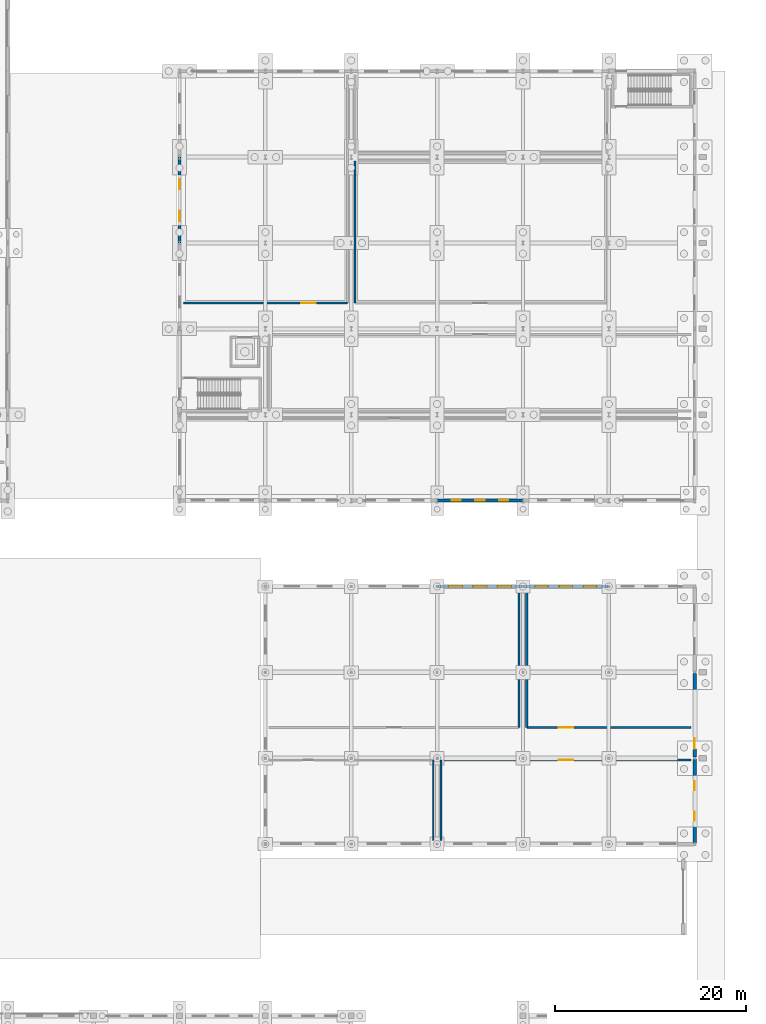
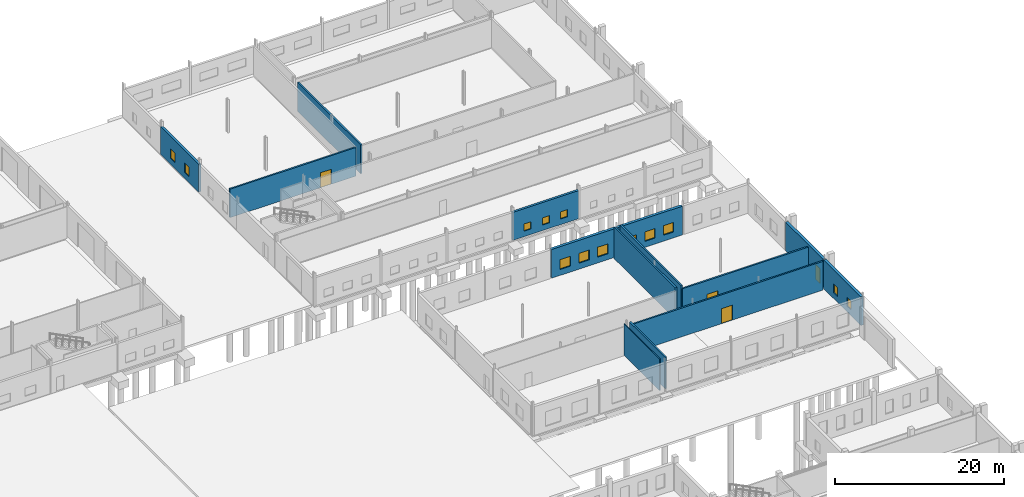
# One storey, part 81 of 112: 14 walls, 13 windows, 4 doors, 17 openings.
"""IFC4 building model written with IfcOpenShell, lengths in metres."""

import ifcopenshell
import ifcopenshell.guid

model = None  # the IFC model being written
_history = None  # IfcOwnerHistory: only IFC2X3 demands one
_inside = {}  # id of a spatial element -> (the spatial element, [elements in it])
_under = {}  # id of a project, library or spatial element -> (it, [spatial elements below it])
_declared = {}  # id of a project -> (the project, [libraries it declares])
_typed = {}  # id of a type object -> (the type object, [elements of that type])
_made_of = {}  # id of a material, layer set ... -> (it, [elements and type objects made of it])


def new_model(schema):
    """Start an empty IFC model of exactly this schema.

    Asked for "IFC4X3", IfcOpenShell would pick the latest addendum, in which some entities
    have other attributes; the version numbers below select the first issue.
    IFC2X3 requires an IfcOwnerHistory on every rooted entity: one is made here for all.
    """
    global model, _history
    if schema == "IFC4X3":
        model = ifcopenshell.file(schema_version=(4, 3, 0, 0))
    else:
        model = ifcopenshell.file(schema=schema)
    _inside.clear()
    _under.clear()
    _declared.clear()
    _typed.clear()
    _made_of.clear()
    _history = None
    if model.schema == "IFC2X3":
        org = make("IfcOrganization", Name="unknown")
        user = make(
            "IfcPersonAndOrganization",
            ThePerson=make("IfcPerson", FamilyName="unknown"),
            TheOrganization=org,
        )
        app = make(
            "IfcApplication",
            ApplicationDeveloper=org,
            Version="unknown",
            ApplicationFullName="unknown",
            ApplicationIdentifier="unknown",
        )
        _history = make(
            "IfcOwnerHistory",
            OwningUser=user,
            OwningApplication=app,
            ChangeAction="ADDED",
            CreationDate=0,
        )
    return model


def make(cls, **values):
    """One entity of the class cls with the attributes given. An attribute that is None is left unset."""
    return model.create_entity(
        cls, **{name: value for name, value in values.items() if value is not None}
    )


def rooted(cls, **values):
    """An entity with a GlobalId (a new one), such as an element, a storey or a relation."""
    return make(cls, GlobalId=ifcopenshell.guid.new(), OwnerHistory=_history, **values)


def si_unit(unit_type, name, prefix=None):
    """IfcSIUnit, for example si_unit("LENGTHUNIT", "METRE", prefix="MILLI")."""
    return make("IfcSIUnit", UnitType=unit_type, Prefix=prefix, Name=name)


def assignment(units):
    """IfcUnitAssignment: the units of a project."""
    return None if units is None else make("IfcUnitAssignment", Units=units)


def point(xyz):
    """IfcCartesianPoint."""
    return None if xyz is None else make("IfcCartesianPoint", Coordinates=xyz)


def direction(xyz):
    """IfcDirection."""
    return None if xyz is None else make("IfcDirection", DirectionRatios=xyz)


def frame(location, z_axis=None, x_axis=None):
    """IfcAxis2Placement3D, a coordinate frame: its origin and axes. An axis left out is left unset."""
    return make(
        "IfcAxis2Placement3D",
        Location=point(location),
        Axis=direction(z_axis),
        RefDirection=direction(x_axis),
    )


def frame_2d(location, x_axis=None):
    """IfcAxis2Placement2D, a coordinate frame in the plane: its origin and x axis."""
    return make(
        "IfcAxis2Placement2D", Location=point(location), RefDirection=direction(x_axis)
    )


def origin():
    """The frame at (0, 0, 0) with its axes left unset."""
    return frame((0.0, 0.0, 0.0))


def place(relative_to, where):
    """IfcLocalPlacement: puts the frame where relative to a parent placement (None: the world)."""
    return make(
        "IfcLocalPlacement", PlacementRelTo=relative_to, RelativePlacement=where
    )


def context(
    kind, dimensions, precision=None, world=None, true_north=None, identifier=None
):
    """IfcGeometricRepresentationContext, for example the 3D "Model" context."""
    return make(
        "IfcGeometricRepresentationContext",
        ContextIdentifier=identifier,
        ContextType=kind,
        CoordinateSpaceDimension=dimensions,
        Precision=precision,
        WorldCoordinateSystem=world,
        TrueNorth=true_north,
    )


def subcontext(parent, identifier, kind, view, scale=None):
    """IfcGeometricRepresentationSubContext, for example "Body" below "Model"."""
    return make(
        "IfcGeometricRepresentationSubContext",
        ContextIdentifier=identifier,
        ContextType=kind,
        ParentContext=parent,
        TargetScale=scale,
        TargetView=view,
    )


def project(units=None, contexts=None):
    """IfcProject with its units and contexts."""
    return rooted(
        "IfcProject",
        Name="project",
        RepresentationContexts=contexts,
        UnitsInContext=assignment(units),
    )


def spatial(cls, under=None, at=None, **own):
    """A site, building, storey or space (cls), placed at a placement, below another one or the project."""
    s = rooted(cls, ObjectPlacement=at, **own)
    if under is not None:
        _under.setdefault(under.id(), (under, []))[1].append(s)
    return s


def profile(cls, at=None, kind="AREA", **sizes):
    """A parametric profile (cls). Its sizes go by their IFC names, for example OverallWidth=200.0."""
    return make(cls, ProfileType=kind, Position=at, **sizes)


def rectangle(**sizes):
    """IfcRectangleProfileDef."""
    return profile("IfcRectangleProfileDef", **sizes)


def extrude(swept, where, along, depth):
    """IfcExtrudedAreaSolid: the profile swept, set in the frame where, extruded along a direction by depth."""
    return make(
        "IfcExtrudedAreaSolid",
        SweptArea=swept,
        Position=where,
        ExtrudedDirection=direction(along),
        Depth=depth,
    )


def shape(context_of_items, identifier, shape_type, items):
    """IfcShapeRepresentation: the items that make up one representation, for example the "Body"."""
    return make(
        "IfcShapeRepresentation",
        ContextOfItems=context_of_items,
        RepresentationIdentifier=identifier,
        RepresentationType=shape_type,
        Items=items,
    )


def material(Name=None, Category=None):
    """IfcMaterial."""
    return make("IfcMaterial", Name=Name, Category=Category)


def layer(
    of_material, thickness, ventilated=None, Name=None, Category=None, Priority=None
):
    """IfcMaterialLayer: one layer of a wall or slab, of a material (None: an air gap)."""
    return make(
        "IfcMaterialLayer",
        Material=of_material,
        LayerThickness=thickness,
        IsVentilated=ventilated,
        Name=Name,
        Category=Category,
        Priority=Priority,
    )


def layer_set(layers, Name=None):
    """IfcMaterialLayerSet."""
    return make("IfcMaterialLayerSet", MaterialLayers=layers, LayerSetName=Name)


def made_of(thing, what):
    """Note that an element or type object is made of a material, layer set ...; save() writes the relation."""
    if what is not None:
        _made_of.setdefault(what.id(), (what, []))[1].append(thing)
    return thing


def type_object(cls, material=None, **own):
    """A type object (cls), such as IfcWallType, which elements share."""
    return made_of(rooted(cls, **own), material)


def element(
    cls,
    number,
    at=None,
    inside=None,
    cuts=None,
    type_object=None,
    material=None,
    context=None,
    identifier="Body",
    shape_type=None,
    held_by="IfcProductDefinitionShape",
    body=None,
    shapes=None,
    **own,
):
    """One element of the class cls, such as IfcWall. Its Tag is "e" and its number.

    at: its placement. inside: the storey or other place that contains it. cuts: it is an
    opening in that element (IfcRelVoidsElement). A single representation is given by context,
    identifier, shape_type and body (its items); several are given by shapes. held_by: the class
    of the entity that holds the representations. save() writes the other relations.
    """
    e = rooted(cls, Tag="e%d" % number, ObjectPlacement=at, **own)
    if body is not None:
        shapes = [shape(context, identifier, shape_type, body)]
    if shapes is not None:
        e.Representation = make(held_by, Representations=shapes)
    if inside is not None:
        _inside.setdefault(inside.id(), (inside, []))[1].append(e)
    if cuts is not None:
        rooted(
            "IfcRelVoidsElement", RelatingBuildingElement=cuts, RelatedOpeningElement=e
        )
    if type_object is not None:
        _typed.setdefault(type_object.id(), (type_object, []))[1].append(e)
    return made_of(e, material)


def fill(opening, filler):
    """IfcRelFillsElement: the door or window that sits in an opening."""
    return rooted(
        "IfcRelFillsElement",
        RelatingOpeningElement=opening,
        RelatedBuildingElement=filler,
    )


def aggregate(whole, parts):
    """IfcRelAggregates: a whole, such as a stair, and the parts it consists of."""
    return rooted("IfcRelAggregates", RelatingObject=whole, RelatedObjects=parts)


def save(model, path):
    """Write the relations noted so far, then the file.

    IfcRelAggregates (storeys below a building ...), IfcRelContainedInSpatialStructure (elements
    in a storey), IfcRelDefinesByType, IfcRelAssociatesMaterial and IfcRelDeclares: one each for
    every whole, place, type object, material and project.
    """
    for whole, parts in _under.values():
        aggregate(whole, parts)
    for where, things in _inside.values():
        rooted(
            "IfcRelContainedInSpatialStructure",
            RelatedElements=things,
            RelatingStructure=where,
        )
    for kind, things in _typed.values():
        rooted("IfcRelDefinesByType", RelatedObjects=things, RelatingType=kind)
    for what, things in _made_of.values():
        rooted("IfcRelAssociatesMaterial", RelatedObjects=things, RelatingMaterial=what)
    for by, libraries in _declared.values():
        rooted("IfcRelDeclares", RelatingContext=by, RelatedDefinitions=libraries)
    model.write(path)


model = new_model("IFC4")

# Units and contexts
model_context = context("Model", 3, precision=1e-05, world=origin(), true_north=direction((0.0, 1.0)))
body_context = subcontext(model_context, "Body", "Model", "MODEL_VIEW")
ifc_project = project(units=[si_unit("LENGTHUNIT", "METRE"), si_unit("AREAUNIT", "SQUARE_METRE"), si_unit("VOLUMEUNIT", "CUBIC_METRE"), si_unit("PLANEANGLEUNIT", "RADIAN"), si_unit("MASSUNIT", "GRAM", prefix="KILO")], contexts=[model_context])

# Site, building, storey
site_placement = place(None, origin())
site = spatial("IfcSite", under=ifc_project, at=site_placement, CompositionType="ELEMENT")
building_placement = place(site_placement, origin())
building = spatial("IfcBuilding", under=site, at=building_placement, Name="Tharagai Park Tramway Depot", CompositionType="ELEMENT")
storey_placement = place(building_placement, origin())
storey = spatial("IfcBuildingStorey", under=building, at=storey_placement, Name="L00", CompositionType="ELEMENT", Elevation=0.0)

# Wall, openings, windows
ifc_material_1 = material(Name="Concrete M35", Category="concrete")
ifc_layer_1 = layer(ifc_material_1, 0.360107421875)
ifc_layer_set_1 = layer_set([ifc_layer_1], Name="Concrete M35")
wall_type_1 = type_object("IfcWallType", Name="EW-03", PredefinedType="SOLIDWALL", material=ifc_layer_set_1)
wall_1_placement = place(storey_placement, frame((189.095947265625, 81.0, 0.0), z_axis=(0.0, 0.0, 1.0), x_axis=(1.0, 0.0, 0.0)))
wall_1 = element("IfcWall", 1, at=wall_1_placement, inside=storey, type_object=wall_type_1, Name="L00 V6 Exterior Masonry Wall EW-03", PredefinedType="SOLIDWALL", context=body_context, shape_type="SweptSolid", body=[
    extrude(rectangle(XDim=8.80810546875, YDim=0.360107421875, at=frame_2d((4.404052734375, 0.0))), origin(), (0.0, 0.0, 1.0), 4.14208984375),
])
opening_1_placement = place(wall_1_placement, frame((1.1220703125, 0.0, 0.85009765625)))
opening_1 = element("IfcOpeningElement", 2, at=opening_1_placement, cuts=wall_1, Name="Opening WN-25", PredefinedType="OPENING", context=body_context, shape_type="SweptSolid", body=[
    extrude(rectangle(XDim=1.43994140625, YDim=1.419921875, at=frame_2d((0.719970703125, 0.7099609375))), frame((0.0, 0.18994140625, 0.0), z_axis=(0.0, -1.0, 0.0), x_axis=(1.0, 0.0, 0.0)), (0.0, 0.0, 1.0), 0.380126953125),
])
opening_2_placement = place(wall_1_placement, frame((3.68408203125, 0.0, 0.85009765625)))
opening_2 = element("IfcOpeningElement", 3, at=opening_2_placement, cuts=wall_1, Name="Opening WN-25", PredefinedType="OPENING", context=body_context, shape_type="SweptSolid", body=[
    extrude(rectangle(XDim=1.43994140625, YDim=1.419921875, at=frame_2d((0.719970703125, 0.7099609375))), frame((0.0, 0.18994140625, 0.0), z_axis=(0.0, -1.0, 0.0), x_axis=(1.0, 0.0, 0.0)), (0.0, 0.0, 1.0), 0.380126953125),
])
opening_3_placement = place(wall_1_placement, frame((6.24609375, 0.0, 0.85009765625)))
opening_3 = element("IfcOpeningElement", 4, at=opening_3_placement, cuts=wall_1, Name="Opening WN-25", PredefinedType="OPENING", context=body_context, shape_type="SweptSolid", body=[
    extrude(rectangle(XDim=1.43994140625, YDim=1.419921875, at=frame_2d((0.719970703125, 0.7099609375))), frame((0.0, 0.18994140625, 0.0), z_axis=(0.0, -1.0, 0.0), x_axis=(1.0, 0.0, 0.0)), (0.0, 0.0, 1.0), 0.380126953125),
])
ifc_material_2 = material(Name="Laminated solar-control glass", Category="glass")
window_type_1 = type_object("IfcWindowType", Name="WN-25", PartitioningType="SINGLE_PANEL", PredefinedType="WINDOW", material=ifc_material_2)
window_1_placement = place(opening_1_placement, origin())
window_1 = element("IfcWindow", 5, at=window_1_placement, inside=storey, type_object=window_type_1, Name="L00 V6 Gothic Lancet Window WN-25", OverallHeight=1.419921875, OverallWidth=1.43994140625, PartitioningType="SINGLE_PANEL", PredefinedType="WINDOW", context=body_context, shape_type="SweptSolid", body=[
    extrude(rectangle(XDim=1.43994140625, YDim=1.419921875, at=frame_2d((0.719970703125, 0.7099609375))), frame((0.0, 0.030029296875, 0.0), z_axis=(0.0, -1.0, 0.0), x_axis=(1.0, 0.0, 0.0)), (0.0, 0.0, 1.0), 0.06005859375),
])
fill(opening_1, window_1)
window_2_placement = place(opening_2_placement, origin())
window_2 = element("IfcWindow", 6, at=window_2_placement, inside=storey, type_object=window_type_1, Name="L00 V6 Gothic Lancet Window WN-25", OverallHeight=1.419921875, OverallWidth=1.43994140625, PartitioningType="SINGLE_PANEL", PredefinedType="WINDOW", context=body_context, shape_type="SweptSolid", body=[
    extrude(rectangle(XDim=1.43994140625, YDim=1.419921875, at=frame_2d((0.719970703125, 0.7099609375))), frame((0.0, 0.030029296875, 0.0), z_axis=(0.0, -1.0, 0.0), x_axis=(1.0, 0.0, 0.0)), (0.0, 0.0, 1.0), 0.06005859375),
])
fill(opening_2, window_2)
window_3_placement = place(opening_3_placement, origin())
window_3 = element("IfcWindow", 7, at=window_3_placement, inside=storey, type_object=window_type_1, Name="L00 V6 Gothic Lancet Window WN-25", OverallHeight=1.419921875, OverallWidth=1.43994140625, PartitioningType="SINGLE_PANEL", PredefinedType="WINDOW", context=body_context, shape_type="SweptSolid", body=[
    extrude(rectangle(XDim=1.43994140625, YDim=1.419921875, at=frame_2d((0.719970703125, 0.7099609375))), frame((0.0, 0.030029296875, 0.0), z_axis=(0.0, -1.0, 0.0), x_axis=(1.0, 0.0, 0.0)), (0.0, 0.0, 1.0), 0.06005859375),
])
fill(opening_3, window_3)

wall_2_placement = place(storey_placement, frame((198.095947265625, 81.0, 0.0), z_axis=(0.0, 0.0, 1.0), x_axis=(1.0, 0.0, 0.0)))
wall_2 = element("IfcWall", 8, at=wall_2_placement, inside=storey, type_object=wall_type_1, Name="L00 V6 Exterior Masonry Wall EW-03", PredefinedType="SOLIDWALL", context=body_context, shape_type="SweptSolid", body=[
    extrude(rectangle(XDim=8.80810546875, YDim=0.360107421875, at=frame_2d((4.404052734375, 0.0))), origin(), (0.0, 0.0, 1.0), 4.14208984375),
])
opening_4_placement = place(wall_2_placement, frame((1.181884765625, 0.0, 0.85009765625)))
opening_4 = element("IfcOpeningElement", 9, at=opening_4_placement, cuts=wall_2, Name="Opening WN-41", PredefinedType="OPENING", context=body_context, shape_type="SweptSolid", body=[
    extrude(rectangle(XDim=1.360107421875, YDim=1.3798828125, at=frame_2d((0.68017578125, 0.68994140625))), frame((0.0, 0.18994140625, 0.0), z_axis=(0.0, -1.0, 0.0), x_axis=(1.0, 0.0, 0.0)), (0.0, 0.0, 1.0), 0.380126953125),
])
opening_5_placement = place(wall_2_placement, frame((3.72412109375, 0.0, 0.85009765625)))
opening_5 = element("IfcOpeningElement", 10, at=opening_5_placement, cuts=wall_2, Name="Opening WN-41", PredefinedType="OPENING", context=body_context, shape_type="SweptSolid", body=[
    extrude(rectangle(XDim=1.360107421875, YDim=1.3798828125, at=frame_2d((0.68017578125, 0.68994140625))), frame((0.0, 0.18994140625, 0.0), z_axis=(0.0, -1.0, 0.0), x_axis=(1.0, 0.0, 0.0)), (0.0, 0.0, 1.0), 0.380126953125),
])
opening_6_placement = place(wall_2_placement, frame((6.26611328125, 0.0, 0.85009765625)))
opening_6 = element("IfcOpeningElement", 11, at=opening_6_placement, cuts=wall_2, Name="Opening WN-41", PredefinedType="OPENING", context=body_context, shape_type="SweptSolid", body=[
    extrude(rectangle(XDim=1.360107421875, YDim=1.3798828125, at=frame_2d((0.68017578125, 0.68994140625))), frame((0.0, 0.18994140625, 0.0), z_axis=(0.0, -1.0, 0.0), x_axis=(1.0, 0.0, 0.0)), (0.0, 0.0, 1.0), 0.380126953125),
])
window_type_2 = type_object("IfcWindowType", Name="WN-41", PartitioningType="SINGLE_PANEL", PredefinedType="WINDOW", material=ifc_material_2)
window_4_placement = place(opening_4_placement, origin())
window_4 = element("IfcWindow", 12, at=window_4_placement, inside=storey, type_object=window_type_2, Name="L00 V6 Gothic Lancet Window WN-41", OverallHeight=1.3798828125, OverallWidth=1.360107421875, PartitioningType="SINGLE_PANEL", PredefinedType="WINDOW", context=body_context, shape_type="SweptSolid", body=[
    extrude(rectangle(XDim=1.360107421875, YDim=1.3798828125, at=frame_2d((0.68017578125, 0.68994140625))), frame((0.0, 0.030029296875, 0.0), z_axis=(0.0, -1.0, 0.0), x_axis=(1.0, 0.0, 0.0)), (0.0, 0.0, 1.0), 0.06005859375),
])
fill(opening_4, window_4)
window_5_placement = place(opening_5_placement, origin())
window_5 = element("IfcWindow", 13, at=window_5_placement, inside=storey, type_object=window_type_2, Name="L00 V6 Gothic Lancet Window WN-41", OverallHeight=1.3798828125, OverallWidth=1.360107421875, PartitioningType="SINGLE_PANEL", PredefinedType="WINDOW", context=body_context, shape_type="SweptSolid", body=[
    extrude(rectangle(XDim=1.360107421875, YDim=1.3798828125, at=frame_2d((0.68017578125, 0.68994140625))), frame((0.0, 0.030029296875, 0.0), z_axis=(0.0, -1.0, 0.0), x_axis=(1.0, 0.0, 0.0)), (0.0, 0.0, 1.0), 0.06005859375),
])
fill(opening_5, window_5)
window_6_placement = place(opening_6_placement, origin())
window_6 = element("IfcWindow", 14, at=window_6_placement, inside=storey, type_object=window_type_2, Name="L00 V6 Gothic Lancet Window WN-41", OverallHeight=1.3798828125, OverallWidth=1.360107421875, PartitioningType="SINGLE_PANEL", PredefinedType="WINDOW", context=body_context, shape_type="SweptSolid", body=[
    extrude(rectangle(XDim=1.360107421875, YDim=1.3798828125, at=frame_2d((0.68017578125, 0.68994140625))), frame((0.0, 0.030029296875, 0.0), z_axis=(0.0, -1.0, 0.0), x_axis=(1.0, 0.0, 0.0)), (0.0, 0.0, 1.0), 0.06005859375),
])
fill(opening_6, window_6)

wall_3_placement = place(storey_placement, frame((216.0, 54.131103515625, 0.0), z_axis=(0.0, 0.0, 1.0), x_axis=(0.0, 1.0, 0.0)))
wall_3 = element("IfcWall", 15, at=wall_3_placement, inside=storey, type_object=wall_type_1, Name="L00 V6 Exterior Masonry Wall EW-03", PredefinedType="SOLIDWALL", context=body_context, shape_type="SweptSolid", body=[
    extrude(rectangle(XDim=8.762939453125, YDim=0.360107421875, at=frame_2d((4.38134765625, 0.0))), origin(), (0.0, 0.0, 1.0), 4.14208984375),
])
opening_7_placement = place(wall_3_placement, frame((2.2939453125, 0.0, 0.85009765625)))
opening_7 = element("IfcOpeningElement", 16, at=opening_7_placement, cuts=wall_3, Name="Opening WN-45", PredefinedType="OPENING", context=body_context, shape_type="SweptSolid", body=[
    extrude(rectangle(XDim=0.93994140625, YDim=1.280029296875, at=frame_2d((0.469970703125, 0.64013671875))), frame((0.0, 0.18994140625, 0.0), z_axis=(0.0, -1.0, 0.0), x_axis=(1.0, 0.0, 0.0)), (0.0, 0.0, 1.0), 0.380126953125),
])
opening_8_placement = place(wall_3_placement, frame((5.529052734375, 0.0, 0.85009765625)))
opening_8 = element("IfcOpeningElement", 17, at=opening_8_placement, cuts=wall_3, Name="Opening WN-45", PredefinedType="OPENING", context=body_context, shape_type="SweptSolid", body=[
    extrude(rectangle(XDim=0.93994140625, YDim=1.280029296875, at=frame_2d((0.469970703125, 0.64013671875))), frame((0.0, 0.18994140625, 0.0), z_axis=(0.0, -1.0, 0.0), x_axis=(1.0, 0.0, 0.0)), (0.0, 0.0, 1.0), 0.380126953125),
])
window_type_3 = type_object("IfcWindowType", Name="WN-45", PartitioningType="SINGLE_PANEL", PredefinedType="WINDOW", material=ifc_material_2)
window_7_placement = place(opening_7_placement, origin())
window_7 = element("IfcWindow", 18, at=window_7_placement, inside=storey, type_object=window_type_3, Name="L00 V6 Side Lancet Window WN-45", OverallHeight=1.280029296875, OverallWidth=0.93994140625, PartitioningType="SINGLE_PANEL", PredefinedType="WINDOW", context=body_context, shape_type="SweptSolid", body=[
    extrude(rectangle(XDim=0.93994140625, YDim=1.280029296875, at=frame_2d((0.469970703125, 0.64013671875))), frame((0.0, 0.030029296875, 0.0), z_axis=(0.0, -1.0, 0.0), x_axis=(1.0, 0.0, 0.0)), (0.0, 0.0, 1.0), 0.06005859375),
])
fill(opening_7, window_7)
window_8_placement = place(opening_8_placement, origin())
window_8 = element("IfcWindow", 19, at=window_8_placement, inside=storey, type_object=window_type_3, Name="L00 V6 Side Lancet Window WN-45", OverallHeight=1.280029296875, OverallWidth=0.93994140625, PartitioningType="SINGLE_PANEL", PredefinedType="WINDOW", context=body_context, shape_type="SweptSolid", body=[
    extrude(rectangle(XDim=0.93994140625, YDim=1.280029296875, at=frame_2d((0.469970703125, 0.64013671875))), frame((0.0, 0.030029296875, 0.0), z_axis=(0.0, -1.0, 0.0), x_axis=(1.0, 0.0, 0.0)), (0.0, 0.0, 1.0), 0.06005859375),
])
fill(opening_8, window_8)

# Wall, opening, door
wall_4_placement = place(storey_placement, frame((216.0, 63.10595703125, 0.0), z_axis=(0.0, 0.0, 1.0), x_axis=(0.0, 1.0, 0.0)))
wall_4 = element("IfcWall", 20, at=wall_4_placement, inside=storey, type_object=wall_type_1, Name="L00 V6 Exterior Masonry Wall EW-03", PredefinedType="SOLIDWALL", context=body_context, shape_type="SweptSolid", body=[
    extrude(rectangle(XDim=8.798095703125, YDim=0.360107421875, at=frame_2d((4.39892578125, 0.0))), origin(), (0.0, 0.0, 1.0), 4.14208984375),
])
opening_9_placement = place(wall_4_placement, frame((0.884033203125, 0.0, 0.0)))
opening_9 = element("IfcOpeningElement", 21, at=opening_9_placement, cuts=wall_4, Name="Opening ED-08", PredefinedType="OPENING", context=body_context, shape_type="SweptSolid", body=[
    extrude(rectangle(XDim=1.1201171875, YDim=2.139892578125, at=frame_2d((0.56005859375, 1.06982421875))), frame((0.0, 0.18994140625, 0.0), z_axis=(0.0, -1.0, 0.0), x_axis=(1.0, 0.0, 0.0)), (0.0, 0.0, 1.0), 0.380126953125),
])
ifc_material_3 = material(Name="Anodised aluminium", Category="aluminium")
door_type_1 = type_object("IfcDoorType", Name="ED-08", OperationType="NOTDEFINED", PredefinedType="DOOR", material=ifc_material_3)
door_1_placement = place(opening_9_placement, frame((1.1201171875, 0.0, 0.0), z_axis=(0.0, 0.0, 1.0), x_axis=(-1.0, 0.0, 0.0)))
door_1 = element("IfcDoor", 22, at=door_1_placement, inside=storey, type_object=door_type_1, Name="Substation Exit Door", OperationType="SINGLE_SWING_LEFT", OverallHeight=2.139892578125, OverallWidth=1.1201171875, PredefinedType="DOOR", context=body_context, shape_type="SweptSolid", body=[
    extrude(rectangle(XDim=1.1201171875, YDim=2.139892578125, at=frame_2d((0.56005859375, 1.06982421875))), frame((0.0, 0.02490234375, 0.0), z_axis=(0.0, -1.0, 0.0), x_axis=(1.0, 0.0, 0.0)), (0.0, 0.0, 1.0), 0.050048828125),
])
fill(opening_9, door_1)

# Wall, openings, windows
ifc_material_4 = material(Name="Pressed clay brick", Category="masonry")
ifc_layer_2 = layer(ifc_material_4, 0.300048828125)
ifc_layer_set_2 = layer_set([ifc_layer_2], Name="Pressed clay brick")
wall_type_2 = type_object("IfcWallType", Name="EW-08", PredefinedType="SOLIDWALL", material=ifc_layer_set_2)
wall_5_placement = place(storey_placement, frame((189.00390625, 90.0, 0.0), z_axis=(0.0, 0.0, 1.0), x_axis=(1.0, 0.0, 0.0)))
wall_5 = element("IfcWall", 23, at=wall_5_placement, inside=storey, type_object=wall_type_2, Name="L00 V3 Exterior Masonry Wall EW-08", PredefinedType="SOLIDWALL", context=body_context, shape_type="SweptSolid", body=[
    extrude(rectangle(XDim=8.9921875, YDim=0.300048828125, at=frame_2d((4.49609375, 0.0))), origin(), (0.0, 0.0, 1.0), 4.0419921875),
])
opening_10_placement = place(wall_5_placement, frame((1.528076171875, 0.0, 0.800048828125)))
opening_10 = element("IfcOpeningElement", 24, at=opening_10_placement, cuts=wall_5, Name="Opening WN-51", PredefinedType="OPENING", context=body_context, shape_type="SweptSolid", body=[
    extrude(rectangle(XDim=0.9599609375, YDim=1.0400390625, at=frame_2d((0.47998046875, 0.52001953125))), frame((0.0, 0.159912109375, 0.0), z_axis=(0.0, -1.0, 0.0), x_axis=(1.0, 0.0, 0.0)), (0.0, 0.0, 1.0), 0.320068359375),
])
opening_11_placement = place(wall_5_placement, frame((4.01611328125, 0.0, 0.800048828125)))
opening_11 = element("IfcOpeningElement", 25, at=opening_11_placement, cuts=wall_5, Name="Opening WN-51", PredefinedType="OPENING", context=body_context, shape_type="SweptSolid", body=[
    extrude(rectangle(XDim=0.9599609375, YDim=1.0400390625, at=frame_2d((0.47998046875, 0.52001953125))), frame((0.0, 0.159912109375, 0.0), z_axis=(0.0, -1.0, 0.0), x_axis=(1.0, 0.0, 0.0)), (0.0, 0.0, 1.0), 0.320068359375),
])
opening_12_placement = place(wall_5_placement, frame((6.50390625, 0.0, 0.800048828125)))
opening_12 = element("IfcOpeningElement", 26, at=opening_12_placement, cuts=wall_5, Name="Opening WN-51", PredefinedType="OPENING", context=body_context, shape_type="SweptSolid", body=[
    extrude(rectangle(XDim=0.9599609375, YDim=1.0400390625, at=frame_2d((0.47998046875, 0.52001953125))), frame((0.0, 0.159912109375, 0.0), z_axis=(0.0, -1.0, 0.0), x_axis=(1.0, 0.0, 0.0)), (0.0, 0.0, 1.0), 0.320068359375),
])
window_type_4 = type_object("IfcWindowType", Name="WN-51", PartitioningType="SINGLE_PANEL", PredefinedType="WINDOW", material=ifc_material_2)
window_9_placement = place(opening_10_placement, origin())
window_9 = element("IfcWindow", 27, at=window_9_placement, inside=storey, type_object=window_type_4, Name="L00 V3 Gothic Lancet Window WN-51", OverallHeight=1.0400390625, OverallWidth=0.9599609375, PartitioningType="SINGLE_PANEL", PredefinedType="WINDOW", context=body_context, shape_type="SweptSolid", body=[
    extrude(rectangle(XDim=0.9599609375, YDim=1.0400390625, at=frame_2d((0.47998046875, 0.52001953125))), frame((0.0, 0.030029296875, 0.0), z_axis=(0.0, -1.0, 0.0), x_axis=(1.0, 0.0, 0.0)), (0.0, 0.0, 1.0), 0.06005859375),
])
fill(opening_10, window_9)
window_10_placement = place(opening_11_placement, origin())
window_10 = element("IfcWindow", 28, at=window_10_placement, inside=storey, type_object=window_type_4, Name="L00 V3 Gothic Lancet Window WN-51", OverallHeight=1.0400390625, OverallWidth=0.9599609375, PartitioningType="SINGLE_PANEL", PredefinedType="WINDOW", context=body_context, shape_type="SweptSolid", body=[
    extrude(rectangle(XDim=0.9599609375, YDim=1.0400390625, at=frame_2d((0.47998046875, 0.52001953125))), frame((0.0, 0.030029296875, 0.0), z_axis=(0.0, -1.0, 0.0), x_axis=(1.0, 0.0, 0.0)), (0.0, 0.0, 1.0), 0.06005859375),
])
fill(opening_11, window_10)
window_11_placement = place(opening_12_placement, origin())
window_11 = element("IfcWindow", 29, at=window_11_placement, inside=storey, type_object=window_type_4, Name="L00 V3 Gothic Lancet Window WN-51", OverallHeight=1.0400390625, OverallWidth=0.9599609375, PartitioningType="SINGLE_PANEL", PredefinedType="WINDOW", context=body_context, shape_type="SweptSolid", body=[
    extrude(rectangle(XDim=0.9599609375, YDim=1.0400390625, at=frame_2d((0.47998046875, 0.52001953125))), frame((0.0, 0.030029296875, 0.0), z_axis=(0.0, -1.0, 0.0), x_axis=(1.0, 0.0, 0.0)), (0.0, 0.0, 1.0), 0.06005859375),
])
fill(opening_12, window_11)

wall_6_placement = place(storey_placement, frame((162.0, 117.00390625, 0.0), z_axis=(0.0, 0.0, 1.0), x_axis=(0.0, 1.0, 0.0)))
wall_6 = element("IfcWall", 30, at=wall_6_placement, inside=storey, type_object=wall_type_2, Name="L00 V3 Exterior Masonry Wall EW-08", PredefinedType="SOLIDWALL", context=body_context, shape_type="SweptSolid", body=[
    extrude(rectangle(XDim=8.9921875, YDim=0.300048828125, at=frame_2d((4.49609375, 0.0))), origin(), (0.0, 0.0, 1.0), 4.011962890625),
])
opening_13_placement = place(wall_6_placement, frame((2.291015625, 0.0, 0.85009765625)))
opening_13 = element("IfcOpeningElement", 31, at=opening_13_placement, cuts=wall_6, Name="Opening WN-54", PredefinedType="OPENING", context=body_context, shape_type="SweptSolid", body=[
    extrude(rectangle(XDim=1.06005859375, YDim=1.35009765625, at=frame_2d((0.530029296875, 0.675048828125))), frame((0.0, 0.159912109375, 0.0), z_axis=(0.0, -1.0, 0.0), x_axis=(1.0, 0.0, 0.0)), (0.0, 0.0, 1.0), 0.320068359375),
])
opening_14_placement = place(wall_6_placement, frame((5.64111328125, 0.0, 0.85009765625)))
opening_14 = element("IfcOpeningElement", 32, at=opening_14_placement, cuts=wall_6, Name="Opening WN-54", PredefinedType="OPENING", context=body_context, shape_type="SweptSolid", body=[
    extrude(rectangle(XDim=1.06005859375, YDim=1.35009765625, at=frame_2d((0.530029296875, 0.675048828125))), frame((0.0, 0.159912109375, 0.0), z_axis=(0.0, -1.0, 0.0), x_axis=(1.0, 0.0, 0.0)), (0.0, 0.0, 1.0), 0.320068359375),
])
window_type_5 = type_object("IfcWindowType", Name="WN-54", PartitioningType="SINGLE_PANEL", PredefinedType="WINDOW", material=ifc_material_2)
window_12_placement = place(opening_13_placement, origin())
window_12 = element("IfcWindow", 33, at=window_12_placement, inside=storey, type_object=window_type_5, Name="L00 V3 Side Lancet Window WN-54", OverallHeight=1.35009765625, OverallWidth=1.06005859375, PartitioningType="SINGLE_PANEL", PredefinedType="WINDOW", context=body_context, shape_type="SweptSolid", body=[
    extrude(rectangle(XDim=1.06005859375, YDim=1.35009765625, at=frame_2d((0.530029296875, 0.675048828125))), frame((0.0, 0.030029296875, 0.0), z_axis=(0.0, -1.0, 0.0), x_axis=(1.0, 0.0, 0.0)), (0.0, 0.0, 1.0), 0.06005859375),
])
fill(opening_13, window_12)
window_13_placement = place(opening_14_placement, origin())
window_13 = element("IfcWindow", 34, at=window_13_placement, inside=storey, type_object=window_type_5, Name="L00 V3 Side Lancet Window WN-54", OverallHeight=1.35009765625, OverallWidth=1.06005859375, PartitioningType="SINGLE_PANEL", PredefinedType="WINDOW", context=body_context, shape_type="SweptSolid", body=[
    extrude(rectangle(XDim=1.06005859375, YDim=1.35009765625, at=frame_2d((0.530029296875, 0.675048828125))), frame((0.0, 0.030029296875, 0.0), z_axis=(0.0, -1.0, 0.0), x_axis=(1.0, 0.0, 0.0)), (0.0, 0.0, 1.0), 0.06005859375),
])
fill(opening_14, window_13)

# Wall
ifc_material_5 = material(Name="Gypsum board", Category="gypsum")
ifc_layer_3 = layer(ifc_material_5, 0.1201171875)
ifc_layer_set_3 = layer_set([ifc_layer_3], Name="Gypsum board")
wall_type_3 = type_object("IfcWallType", Name="IW-03", PredefinedType="PARTITIONING", material=ifc_layer_set_3)
wall_7_placement = place(storey_placement, frame((188.60009765625, 54.39990234375, 0.0), z_axis=(0.0, 0.0, 1.0), x_axis=(0.0, 1.0, 0.0)))
element("IfcWall", 35, at=wall_7_placement, inside=storey, type_object=wall_type_3, Name="Yard RFID Dispatch Gatehouse Partition East", PredefinedType="PARTITIONING", context=body_context, shape_type="SweptSolid", body=[
    extrude(rectangle(XDim=8.400146484375, YDim=0.1201171875, at=frame_2d((4.2001953125, 0.0))), origin(), (0.0, 0.0, 1.0), 4.550048828125),
])

# Wall, opening, door
ifc_layer_4 = layer(ifc_material_4, 0.219970703125)
ifc_layer_set_4 = layer_set([ifc_layer_4], Name="Pressed clay brick")
wall_type_4 = type_object("IfcWallType", Name="IW-05", PredefinedType="SOLIDWALL", material=ifc_layer_set_4)
wall_8_placement = place(storey_placement, frame((162.39990234375, 110.699951171875, 0.0), z_axis=(0.0, 0.0, 1.0), x_axis=(1.0, 0.0, 0.0)))
wall_8 = element("IfcWall", 36, at=wall_8_placement, inside=storey, type_object=wall_type_4, Name="Chassis Wash Dryer and Blower Hall Partition South", PredefinedType="SOLIDWALL", context=body_context, shape_type="SweptSolid", body=[
    extrude(rectangle(XDim=17.2001953125, YDim=0.219970703125, at=frame_2d((8.60009765625, 0.0))), origin(), (0.0, 0.0, 1.0), 4.114990234375),
])
opening_15_placement = place(wall_8_placement, frame((12.340087890625, 0.0, 0.0)))
opening_15 = element("IfcOpeningElement", 37, at=opening_15_placement, cuts=wall_8, Name="Opening ID-11", PredefinedType="OPENING", context=body_context, shape_type="SweptSolid", body=[
    extrude(rectangle(XDim=1.52001953125, YDim=2.159912109375, at=frame_2d((0.760009765625, 1.080078125))), frame((0.0, 0.119873046875, 0.0), z_axis=(0.0, -1.0, 0.0), x_axis=(1.0, 0.0, 0.0)), (0.0, 0.0, 1.0), 0.239990234375),
])
ifc_material_6 = material(Name="Galvanised steel", Category="steel")
door_type_2 = type_object("IfcDoorType", Name="ID-11", OperationType="DOUBLE_SWING_LEFT", PredefinedType="DOOR", material=ifc_material_6)
door_2_placement = place(opening_15_placement, frame((1.52001953125, 0.0, 0.0), z_axis=(0.0, 0.0, 1.0), x_axis=(-1.0, 0.0, 0.0)))
door_2 = element("IfcDoor", 38, at=door_2_placement, inside=storey, type_object=door_type_2, Name="Chassis Wash Dryer and Blower Hall Door", OperationType="DOUBLE_SWING_LEFT", OverallHeight=2.159912109375, OverallWidth=1.52001953125, PredefinedType="DOOR", context=body_context, shape_type="SweptSolid", body=[
    extrude(rectangle(XDim=1.52001953125, YDim=2.159912109375, at=frame_2d((0.760009765625, 1.080078125))), frame((0.0, 0.02490234375, 0.0), z_axis=(0.0, -1.0, 0.0), x_axis=(1.0, 0.0, 0.0)), (0.0, 0.0, 1.0), 0.050048828125),
])
fill(opening_15, door_2)

# Wall
wall_9_placement = place(storey_placement, frame((180.39990234375, 110.699951171875, 0.0), z_axis=(0.0, 0.0, 1.0), x_axis=(0.0, 1.0, 0.0)))
element("IfcWall", 39, at=wall_9_placement, inside=storey, type_object=wall_type_4, Name="Effluent Water-Reclamation Plant Partition West", PredefinedType="SOLIDWALL", context=body_context, shape_type="SweptSolid", body=[
    extrude(rectangle(XDim=14.900146484375, YDim=0.219970703125, at=frame_2d((7.4501953125, 0.0))), origin(), (0.0, 0.0, 1.0), 4.1650390625),
])

# Wall, opening, door
wall_10_placement = place(storey_placement, frame((189.39990234375, 62.800048828125, 0.0), z_axis=(0.0, 0.0, 1.0), x_axis=(1.0, 0.0, 0.0)))
wall_10 = element("IfcWall", 40, at=wall_10_placement, inside=storey, type_object=wall_type_4, Name="Traction Power Substation and Rectifier Hall Partition North", PredefinedType="SOLIDWALL", context=body_context, shape_type="SweptSolid", body=[
    extrude(rectangle(XDim=26.2001953125, YDim=0.219970703125, at=frame_2d((13.10009765625, 0.0))), origin(), (0.0, 0.0, 1.0), 4.14501953125),
])
opening_16_placement = place(wall_10_placement, frame((12.340087890625, 0.0, 0.0)))
opening_16 = element("IfcOpeningElement", 41, at=opening_16_placement, cuts=wall_10, Name="Opening ID-11", PredefinedType="OPENING", context=body_context, shape_type="SweptSolid", body=[
    extrude(rectangle(XDim=1.52001953125, YDim=2.159912109375, at=frame_2d((0.760009765625, 1.080078125))), frame((0.0, 0.119873046875, 0.0), z_axis=(0.0, -1.0, 0.0), x_axis=(1.0, 0.0, 0.0)), (0.0, 0.0, 1.0), 0.239990234375),
])
door_3_placement = place(opening_16_placement, origin())
door_3 = element("IfcDoor", 42, at=door_3_placement, inside=storey, type_object=door_type_2, Name="Traction Power Substation and Rectifier Hall Door", OperationType="DOUBLE_SWING_LEFT", OverallHeight=2.159912109375, OverallWidth=1.52001953125, PredefinedType="DOOR", context=body_context, shape_type="SweptSolid", body=[
    extrude(rectangle(XDim=1.52001953125, YDim=2.159912109375, at=frame_2d((0.760009765625, 1.080078125))), frame((0.0, 0.02490234375, 0.0), z_axis=(0.0, -1.0, 0.0), x_axis=(1.0, 0.0, 0.0)), (0.0, 0.0, 1.0), 0.050048828125),
])
fill(opening_16, door_3)

# Walls
wall_11_placement = place(storey_placement, frame((189.39990234375, 54.39990234375, 0.0), z_axis=(0.0, 0.0, 1.0), x_axis=(0.0, 1.0, 0.0)))
element("IfcWall", 43, at=wall_11_placement, inside=storey, type_object=wall_type_4, Name="Traction Power Substation and Rectifier Hall Partition West", PredefinedType="SOLIDWALL", context=body_context, shape_type="SweptSolid", body=[
    extrude(rectangle(XDim=8.400146484375, YDim=0.219970703125, at=frame_2d((4.2001953125, 0.0))), origin(), (0.0, 0.0, 1.0), 4.550048828125),
])
wall_12_placement = place(storey_placement, frame((197.60009765625, 66.199951171875, 0.0), z_axis=(0.0, 0.0, 1.0), x_axis=(0.0, 1.0, 0.0)))
element("IfcWall", 44, at=wall_12_placement, inside=storey, type_object=wall_type_4, Name="HV Switchgear and SCADA Relay Room Partition East", PredefinedType="SOLIDWALL", context=body_context, shape_type="SweptSolid", body=[
    extrude(rectangle(XDim=14.400146484375, YDim=0.219970703125, at=frame_2d((7.2001953125, 0.0))), origin(), (0.0, 0.0, 1.0), 4.550048828125),
])

# Wall, opening, door
wall_13_placement = place(storey_placement, frame((198.39990234375, 66.199951171875, 0.0), z_axis=(0.0, 0.0, 1.0), x_axis=(1.0, 0.0, 0.0)))
wall_13 = element("IfcWall", 45, at=wall_13_placement, inside=storey, type_object=wall_type_4, Name="Standby Diesel Generator Plant Partition South", PredefinedType="SOLIDWALL", context=body_context, shape_type="SweptSolid", body=[
    extrude(rectangle(XDim=17.2001953125, YDim=0.219970703125, at=frame_2d((8.60009765625, 0.0))), origin(), (0.0, 0.0, 1.0), 4.14501953125),
])
opening_17_placement = place(wall_13_placement, frame((3.340087890625, 0.0, 0.0)))
opening_17 = element("IfcOpeningElement", 46, at=opening_17_placement, cuts=wall_13, Name="Opening ID-11", PredefinedType="OPENING", context=body_context, shape_type="SweptSolid", body=[
    extrude(rectangle(XDim=1.52001953125, YDim=2.159912109375, at=frame_2d((0.760009765625, 1.080078125))), frame((0.0, 0.119873046875, 0.0), z_axis=(0.0, -1.0, 0.0), x_axis=(1.0, 0.0, 0.0)), (0.0, 0.0, 1.0), 0.239990234375),
])
door_4_placement = place(opening_17_placement, frame((1.52001953125, 0.0, 0.0), z_axis=(0.0, 0.0, 1.0), x_axis=(-1.0, 0.0, 0.0)))
door_4 = element("IfcDoor", 47, at=door_4_placement, inside=storey, type_object=door_type_2, Name="Standby Diesel Generator Plant Door", OperationType="DOUBLE_SWING_LEFT", OverallHeight=2.159912109375, OverallWidth=1.52001953125, PredefinedType="DOOR", context=body_context, shape_type="SweptSolid", body=[
    extrude(rectangle(XDim=1.52001953125, YDim=2.159912109375, at=frame_2d((0.760009765625, 1.080078125))), frame((0.0, 0.02490234375, 0.0), z_axis=(0.0, -1.0, 0.0), x_axis=(1.0, 0.0, 0.0)), (0.0, 0.0, 1.0), 0.050048828125),
])
fill(opening_17, door_4)

# Wall
wall_14_placement = place(storey_placement, frame((198.39990234375, 66.199951171875, 0.0), z_axis=(0.0, 0.0, 1.0), x_axis=(0.0, 1.0, 0.0)))
element("IfcWall", 48, at=wall_14_placement, inside=storey, type_object=wall_type_4, Name="Standby Diesel Generator Plant Partition West", PredefinedType="SOLIDWALL", context=body_context, shape_type="SweptSolid", body=[
    extrude(rectangle(XDim=14.400146484375, YDim=0.219970703125, at=frame_2d((7.2001953125, 0.0))), origin(), (0.0, 0.0, 1.0), 4.550048828125),
])

save(model, "model.ifc")
